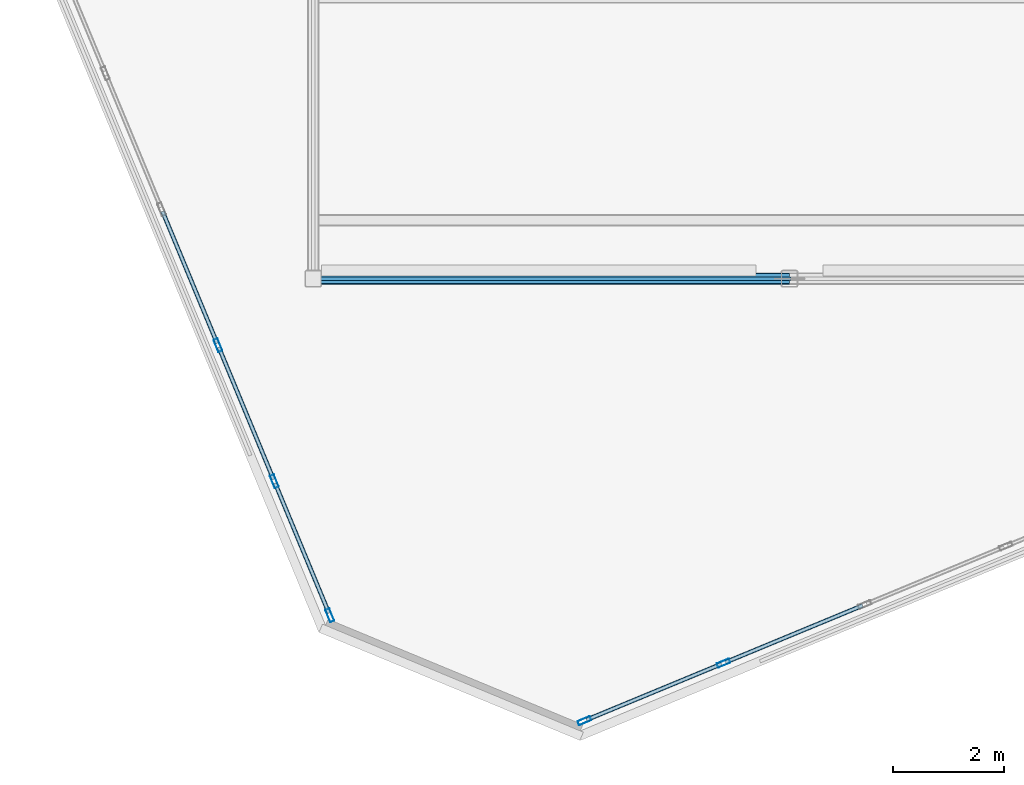
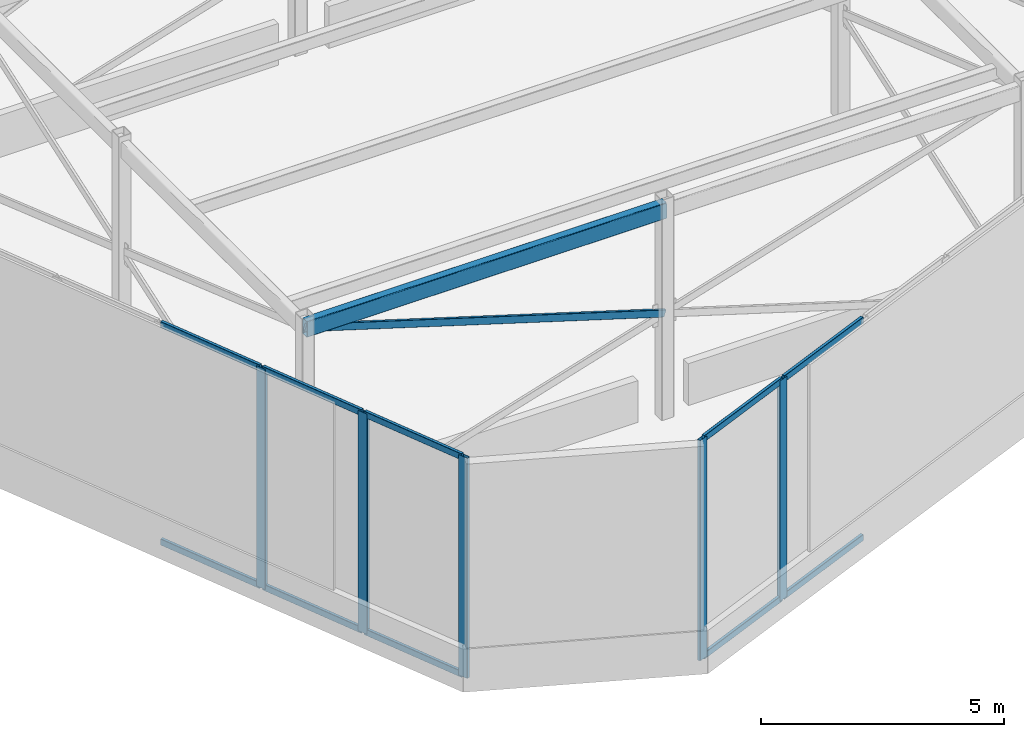
# One storey, part 2 of 12: 17 members, 2 elements without a shape of their own.
"""IFC4 building model written with IfcOpenShell, lengths in metres."""

from ifc_helpers import new_model, si_unit, direction, frame, origin, origin_2d, place, context, subcontext, project, spatial, hollow_rectangle, extrude, source, transform, mapped, material, material_profile, profile_set, type_object, element, aggregate, save


model = new_model("IFC4")

# Units and contexts
model_context = context("Model", 3, precision=1e-05, world=origin(), true_north=direction((0.0, 1.0)))
body_context = subcontext(model_context, "Body", "Model", "MODEL_VIEW")
ifc_project = project(units=[si_unit("LENGTHUNIT", "METRE"), si_unit("AREAUNIT", "SQUARE_METRE"), si_unit("VOLUMEUNIT", "CUBIC_METRE"), si_unit("PLANEANGLEUNIT", "RADIAN"), si_unit("MASSUNIT", "GRAM", prefix="KILO")], contexts=[model_context])

# Site, building, storey
site_placement = place(None, origin())
site = spatial("IfcSite", under=ifc_project, at=site_placement, CompositionType="ELEMENT")
building_placement = place(site_placement, origin())
building = spatial("IfcBuilding", under=site, at=building_placement, Name="Torre Montelarca", CompositionType="ELEMENT")
storey_placement = place(building_placement, frame((0.0, 0.0, 370.60009765625)))
storey = spatial("IfcBuildingStorey", under=building, at=storey_placement, Name="RF", CompositionType="ELEMENT", Elevation=370.60009765625)

# Member
ifc_material_1 = material(Name="Steel ASTM A500 Grade C", Category="steel")
ifc_material_profile_1 = material_profile(ifc_material_1, hollow_rectangle(XDim=0.203125, YDim=0.406494140625, WallThickness=0.015869140625, InnerFilletRadius=0.015869140625, OuterFilletRadius=0.03173828125, at=origin_2d()), Name="HSS406X203X15.9", Category="steel")
ifc_profile_set_1 = profile_set([ifc_material_profile_1], Name="Steel ASTM A500 Grade C")
member_type_1 = type_object("IfcMemberType", Name="MB-CF-HSS406-EXT", PredefinedType="USERDEFINED", material=ifc_profile_set_1)
shared_shape_1 = source(origin(), body_context, "Body", "SweptSolid", [
    extrude(hollow_rectangle(XDim=0.203125, YDim=0.406494140625, WallThickness=0.015869140625, InnerFilletRadius=0.015869140625, OuterFilletRadius=0.03173828125, at=origin_2d()), origin(), (0.0, 0.0, 1.0), 8.550048828125),
])
member_1_placement = place(storey_placement, frame((9.449951171875, 24.449951171875, 5.199951171875), z_axis=(1.0, 0.0, 0.0), x_axis=(0.0, 1.0, 0.0)))
element("IfcMember", 1, at=member_1_placement, inside=storey, type_object=member_type_1, Name="RF Crown Frame Ring Beam 01", ObjectType="CROWN FRAME", PredefinedType="USERDEFINED", context=body_context, shape_type="MappedRepresentation", body=[
    mapped(shared_shape_1, transform((0.0, 0.0, 0.0), scale=1.0)),
])

# Curtain wall, members
ifc_material_2 = material(Name="Amber translucent laminated glass", Category="glass")
curtain_wall_type = type_object("IfcCurtainWallType", Name="CW-SYS-LANT", PredefinedType="USERDEFINED", material=ifc_material_2)
curtain_wall_1_placement = place(storey_placement, origin())
curtain_wall_1 = element("IfcCurtainWall", 2, at=curtain_wall_1_placement, inside=storey, type_object=curtain_wall_type, Name="RF Crown Translucent Amber Lantern Curtain Wall 01-1", ObjectType="TRANSLUCENT LANTERN", PredefinedType="USERDEFINED")
ifc_material_3 = material(Name="Anodised aluminium AA 6063-T6", Category="aluminium")
ifc_material_profile_2 = material_profile(ifc_material_3, hollow_rectangle(XDim=0.080078125, YDim=0.239990234375, WallThickness=0.0048828125, InnerFilletRadius=0.0048828125, OuterFilletRadius=0.010009765625, at=origin_2d()), Name="ALU80X240X5", Category="aluminium")
ifc_profile_set_2 = profile_set([ifc_material_profile_2], Name="Anodised aluminium AA 6063-T6")
member_type_2 = type_object("IfcMemberType", Name="CWM-ALU240", PredefinedType="MULLION", material=ifc_profile_set_2)
shared_shape_2 = source(origin(), body_context, "Body", "SweptSolid", [
    extrude(hollow_rectangle(XDim=0.080078125, YDim=0.239990234375, WallThickness=0.0048828125, InnerFilletRadius=0.0048828125, OuterFilletRadius=0.010009765625, at=origin_2d()), origin(), (0.0, 0.0, 1.0), 5.539794921875),
])
member_2_placement = place(storey_placement, frame((7.739501953125, 23.254150390625, 0.0), z_axis=(0.0, 0.0, 1.0), x_axis=(0.923878679496, 0.382685491719, 0.0)))
member_2 = element("IfcMember", 3, at=member_2_placement, type_object=member_type_2, Name="CW mullion 6", PredefinedType="MULLION", context=body_context, shape_type="MappedRepresentation", body=[
    mapped(shared_shape_2, transform((0.0, 0.0, 0.0), scale=1.0)),
])
member_3_placement = place(storey_placement, frame((8.7509765625, 20.8125, 0.0), z_axis=(0.0, 0.0, 1.0), x_axis=(0.923878679496, 0.382685491719, 0.0)))
member_3 = element("IfcMember", 4, at=member_3_placement, type_object=member_type_2, Name="CW mullion 7", PredefinedType="MULLION", context=body_context, shape_type="MappedRepresentation", body=[
    mapped(shared_shape_2, transform((0.0, 0.0, 0.0), scale=1.0)),
])
member_4_placement = place(storey_placement, frame((9.7470703125, 18.40771484375, 0.0), z_axis=(0.0, 0.0, 1.0), x_axis=(0.923878679496, 0.382685491719, 0.0)))
member_4 = element("IfcMember", 5, at=member_4_placement, type_object=member_type_2, Name="CW mullion 8", PredefinedType="MULLION", context=body_context, shape_type="MappedRepresentation", body=[
    mapped(shared_shape_2, transform((0.0, 0.0, 0.0), scale=1.0)),
])

curtain_wall_2_placement = place(storey_placement, origin())
curtain_wall_2 = element("IfcCurtainWall", 6, at=curtain_wall_2_placement, inside=storey, type_object=curtain_wall_type, Name="RF Crown Translucent Amber Lantern Curtain Wall 03-1", ObjectType="TRANSLUCENT LANTERN", PredefinedType="USERDEFINED")
member_5_placement = place(storey_placement, frame((14.31982421875, 16.513427734375, 0.0), z_axis=(0.0, 0.0, 1.0), x_axis=(-0.382686665357, 0.923878193356, 0.0)))
member_5 = element("IfcMember", 7, at=member_5_placement, type_object=member_type_2, Name="CW mullion 1", PredefinedType="MULLION", context=body_context, shape_type="MappedRepresentation", body=[
    mapped(shared_shape_2, transform((0.0, 0.0, 0.0), scale=1.0)),
])
member_6_placement = place(storey_placement, frame((16.81689453125, 17.5478515625, 0.0), z_axis=(0.0, 0.0, 1.0), x_axis=(-0.382686665357, 0.923878193356, 0.0)))
member_6 = element("IfcMember", 8, at=member_6_placement, type_object=member_type_2, Name="CW mullion 2", PredefinedType="MULLION", context=body_context, shape_type="MappedRepresentation", body=[
    mapped(shared_shape_2, transform((0.0, 0.0, 0.0), scale=1.0)),
])

# Member
ifc_material_profile_3 = material_profile(ifc_material_3, hollow_rectangle(XDim=0.074951171875, YDim=0.159912109375, WallThickness=0.0048828125, InnerFilletRadius=0.0048828125, OuterFilletRadius=0.010009765625, at=origin_2d()), Name="ALU75X160X5", Category="aluminium")
ifc_profile_set_3 = profile_set([ifc_material_profile_3], Name="Anodised aluminium AA 6063-T6")
member_type_3 = type_object("IfcMemberType", Name="CWT-ALU160", PredefinedType="USERDEFINED", material=ifc_profile_set_3)
shared_shape_3 = source(origin(), body_context, "Body", "SweptSolid", [
    extrude(hollow_rectangle(XDim=0.074951171875, YDim=0.159912109375, WallThickness=0.0048828125, InnerFilletRadius=0.0048828125, OuterFilletRadius=0.010009765625, at=origin_2d()), origin(), (0.0, 0.0, 1.0), 2.52294921875),
])
member_7_placement = place(storey_placement, frame((8.76611328125, 20.775390625, 0.037353515625), z_axis=(0.382724988828, -0.923862318166, 0.0), x_axis=(0.923862318166, 0.382724988828, 0.0)))
member_7 = element("IfcMember", 9, at=member_7_placement, type_object=member_type_3, Name="CW transom 7.1", ObjectType="TRANSOM", PredefinedType="USERDEFINED", context=body_context, shape_type="MappedRepresentation", body=[
    mapped(shared_shape_3, transform((0.0, 0.0, 0.0), scale=1.0)),
])

member_8_placement = place(storey_placement, frame((8.76611328125, 20.775390625, 5.50244140625), z_axis=(0.382724988828, -0.923862318166, 0.0), x_axis=(0.923862318166, 0.382724988828, 0.0)))
member_8 = element("IfcMember", 10, at=member_8_placement, type_object=member_type_3, Name="CW transom 7.2", ObjectType="TRANSOM", PredefinedType="USERDEFINED", context=body_context, shape_type="MappedRepresentation", body=[
    mapped(shared_shape_3, transform((0.0, 0.0, 0.0), scale=1.0)),
])

shared_shape_4 = source(origin(), body_context, "Body", "SweptSolid", [
    extrude(hollow_rectangle(XDim=0.074951171875, YDim=0.159912109375, WallThickness=0.0048828125, InnerFilletRadius=0.0048828125, OuterFilletRadius=0.010009765625, at=origin_2d()), origin(), (0.0, 0.0, 1.0), 2.562744140625),
])
member_9_placement = place(storey_placement, frame((6.743408203125, 25.65869140625, 0.037353515625), z_axis=(0.382679925467, -0.923880985108, 0.0), x_axis=(0.923880985108, 0.382679925467, 0.0)))
member_9 = element("IfcMember", 11, at=member_9_placement, type_object=member_type_3, Name="CW transom 5.1", ObjectType="TRANSOM", PredefinedType="USERDEFINED", context=body_context, shape_type="MappedRepresentation", body=[
    mapped(shared_shape_4, transform((0.0, 0.0, 0.0), scale=1.0)),
])

member_10_placement = place(storey_placement, frame((6.743408203125, 25.65869140625, 5.50244140625), z_axis=(0.382679925467, -0.923880985108, 0.0), x_axis=(0.923880985108, 0.382679925467, 0.0)))
member_10 = element("IfcMember", 12, at=member_10_placement, type_object=member_type_3, Name="CW transom 5.2", ObjectType="TRANSOM", PredefinedType="USERDEFINED", context=body_context, shape_type="MappedRepresentation", body=[
    mapped(shared_shape_4, transform((0.0, 0.0, 0.0), scale=1.0)),
])

member_11_placement = place(storey_placement, frame((7.7548828125, 23.217041015625, 0.037353515625), z_axis=(0.382679925467, -0.923880985108, 0.0), x_axis=(0.923880985108, 0.382679925467, 0.0)))
member_11 = element("IfcMember", 13, at=member_11_placement, type_object=member_type_3, Name="CW transom 6.1", ObjectType="TRANSOM", PredefinedType="USERDEFINED", context=body_context, shape_type="MappedRepresentation", body=[
    mapped(shared_shape_4, transform((0.0, 0.0, 0.0), scale=1.0)),
])

member_12_placement = place(storey_placement, frame((7.7548828125, 23.217041015625, 5.50244140625), z_axis=(0.382679925467, -0.923880985108, 0.0), x_axis=(0.923880985108, 0.382679925467, 0.0)))
member_12 = element("IfcMember", 14, at=member_12_placement, type_object=member_type_3, Name="CW transom 6.2", ObjectType="TRANSOM", PredefinedType="USERDEFINED", context=body_context, shape_type="MappedRepresentation", body=[
    mapped(shared_shape_4, transform((0.0, 0.0, 0.0), scale=1.0)),
])

aggregate(curtain_wall_1, [member_2, member_3, member_4, member_9, member_10, member_11, member_12, member_7, member_8])

shared_shape_5 = source(origin(), body_context, "Body", "SweptSolid", [
    extrude(hollow_rectangle(XDim=0.074951171875, YDim=0.159912109375, WallThickness=0.0048828125, InnerFilletRadius=0.0048828125, OuterFilletRadius=0.010009765625, at=origin_2d()), origin(), (0.0, 0.0, 1.0), 2.623046875),
])
member_13_placement = place(storey_placement, frame((14.356689453125, 16.52880859375, 0.037353515625), z_axis=(0.92389545334, 0.382644993822, 0.0), x_axis=(-0.382644993822, 0.92389545334, 0.0)))
member_13 = element("IfcMember", 15, at=member_13_placement, type_object=member_type_3, Name="CW transom 1.1", ObjectType="TRANSOM", PredefinedType="USERDEFINED", context=body_context, shape_type="MappedRepresentation", body=[
    mapped(shared_shape_5, transform((0.0, 0.0, 0.0), scale=1.0)),
])

member_14_placement = place(storey_placement, frame((14.356689453125, 16.52880859375, 5.50244140625), z_axis=(0.92389545334, 0.382644993822, 0.0), x_axis=(-0.382644993822, 0.92389545334, 0.0)))
member_14 = element("IfcMember", 16, at=member_14_placement, type_object=member_type_3, Name="CW transom 1.2", ObjectType="TRANSOM", PredefinedType="USERDEFINED", context=body_context, shape_type="MappedRepresentation", body=[
    mapped(shared_shape_5, transform((0.0, 0.0, 0.0), scale=1.0)),
])

shared_shape_6 = source(origin(), body_context, "Body", "SweptSolid", [
    extrude(hollow_rectangle(XDim=0.074951171875, YDim=0.159912109375, WallThickness=0.0048828125, InnerFilletRadius=0.0048828125, OuterFilletRadius=0.010009765625, at=origin_2d()), origin(), (0.0, 0.0, 1.0), 2.662841796875),
])
member_15_placement = place(storey_placement, frame((16.85400390625, 17.56298828125, 0.037353515625), z_axis=(0.923880507149, 0.382681079373, 0.0), x_axis=(-0.382681079373, 0.923880507149, 0.0)))
member_15 = element("IfcMember", 17, at=member_15_placement, type_object=member_type_3, Name="CW transom 2.1", ObjectType="TRANSOM", PredefinedType="USERDEFINED", context=body_context, shape_type="MappedRepresentation", body=[
    mapped(shared_shape_6, transform((0.0, 0.0, 0.0), scale=1.0)),
])

member_16_placement = place(storey_placement, frame((16.85400390625, 17.56298828125, 5.50244140625), z_axis=(0.923880507149, 0.382681079373, 0.0), x_axis=(-0.382681079373, 0.923880507149, 0.0)))
member_16 = element("IfcMember", 18, at=member_16_placement, type_object=member_type_3, Name="CW transom 2.2", ObjectType="TRANSOM", PredefinedType="USERDEFINED", context=body_context, shape_type="MappedRepresentation", body=[
    mapped(shared_shape_6, transform((0.0, 0.0, 0.0), scale=1.0)),
])

aggregate(curtain_wall_2, [member_5, member_6, member_13, member_14, member_15, member_16])

ifc_material_4 = material(Name="Architectural perforated terracotta ceramic on aluminium AA 6063-T6", Category="masonry")
ifc_material_profile_4 = material_profile(ifc_material_4, hollow_rectangle(XDim=0.06494140625, YDim=0.179931640625, WallThickness=0.00390625, InnerFilletRadius=0.00390625, OuterFilletRadius=0.008056640625, at=origin_2d()), Name="ALU65X180X4", Category="masonry")
ifc_profile_set_4 = profile_set([ifc_material_profile_4], Name="Architectural perforated terracotta ceramic on aluminium AA 6063-T6")
member_type_4 = type_object("IfcMemberType", Name="SCR-DIAG-RIB", PredefinedType="USERDEFINED", material=ifc_profile_set_4)
shared_shape_7 = source(origin(), body_context, "Body", "SweptSolid", [
    extrude(hollow_rectangle(XDim=0.06494140625, YDim=0.179931640625, WallThickness=0.00390625, InnerFilletRadius=0.00390625, OuterFilletRadius=0.008056640625, at=origin_2d()), origin(), (0.0, 0.0, 1.0), 8.94384765625),
])
member_17_placement = place(storey_placement, frame((18.0, 24.449951171875, 2.574951171875), z_axis=(-0.955960607945, 0.0, 0.29349500176), x_axis=(0.0, -1.0, 0.0)))
element("IfcMember", 19, at=member_17_placement, inside=storey, type_object=member_type_4, Name="RF Crown Split Diagonal Brace Upper SB2", ObjectType="SOLAR SCREEN", PredefinedType="USERDEFINED", context=body_context, shape_type="MappedRepresentation", body=[
    mapped(shared_shape_7, transform((0.0, 0.0, 0.0), scale=1.0)),
])

save(model, "model.ifc")
